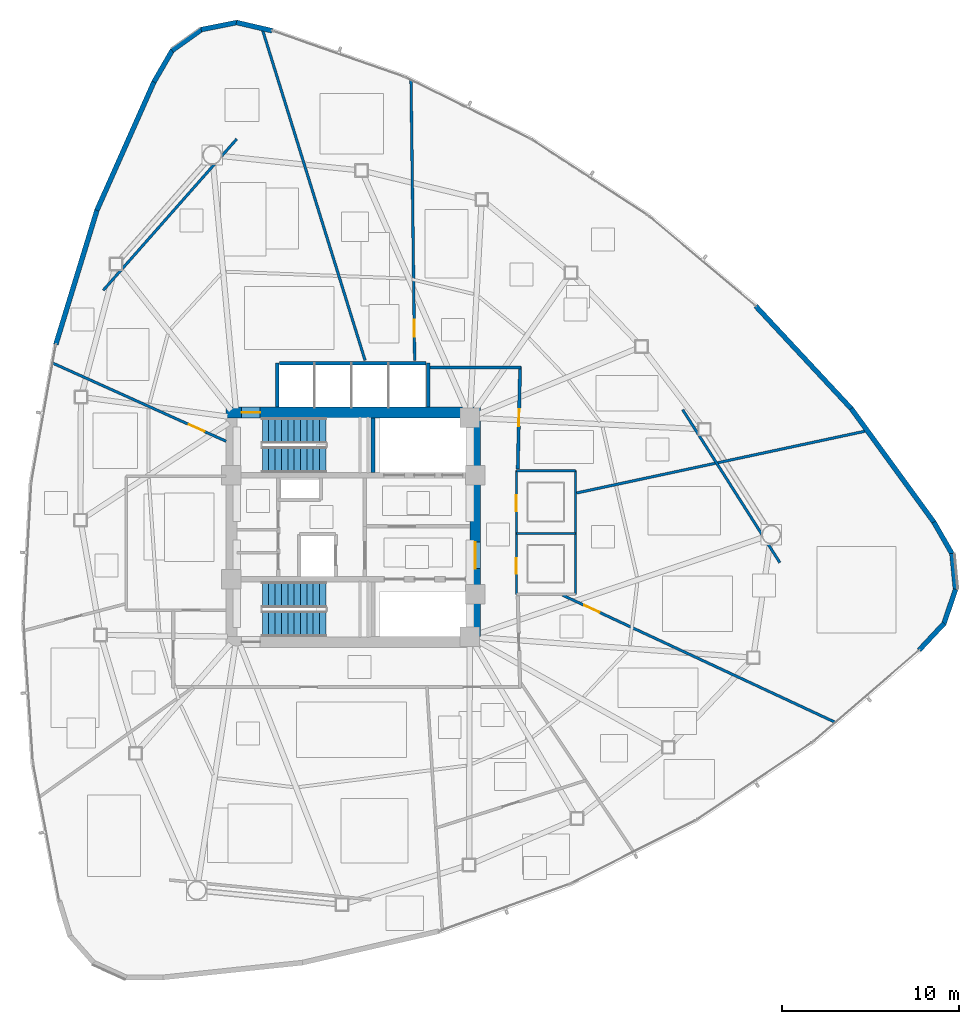
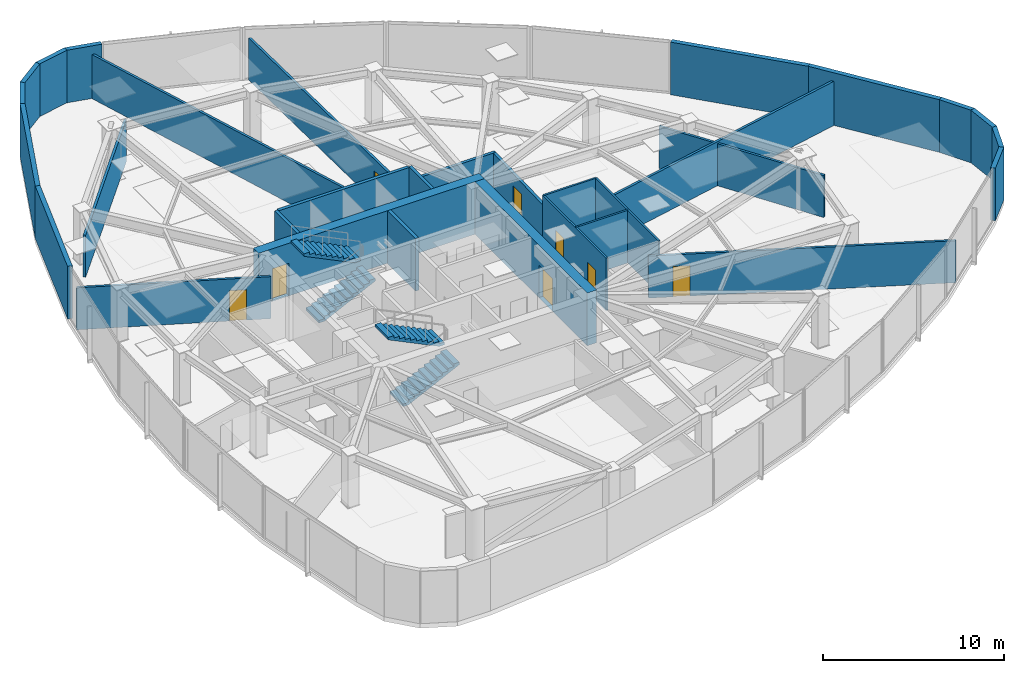
# One storey, part 12 of 17: 31 walls, 8 doors, 4 stair flights, 8 openings, 2 elements without a shape of their own.
"""IFC4 building model written with IfcOpenShell, lengths in metres."""

from ifc_helpers import new_model, si_unit, direction, frame, frame_2d, origin, place, context, subcontext, project, spatial, polyline, rectangle, outline, extrude, material, layer, layer_set, type_object, element, fill, aggregate, save


model = new_model("IFC4")

# Units and contexts
model_context = context("Model", 3, precision=1e-05, world=origin(), true_north=direction((0.0, 1.0)))
body_context = subcontext(model_context, "Body", "Model", "MODEL_VIEW")
ifc_project = project(units=[si_unit("LENGTHUNIT", "METRE"), si_unit("AREAUNIT", "SQUARE_METRE"), si_unit("VOLUMEUNIT", "CUBIC_METRE"), si_unit("PLANEANGLEUNIT", "RADIAN"), si_unit("MASSUNIT", "GRAM", prefix="KILO")], contexts=[model_context])

# Site, building, storey
site_placement = place(None, origin())
site = spatial("IfcSite", under=ifc_project, at=site_placement, CompositionType="ELEMENT")
building_placement = place(site_placement, origin())
building = spatial("IfcBuilding", under=site, at=building_placement, Name="Tavelor Broadcast Tower", CompositionType="ELEMENT")
storey_placement = place(building_placement, frame((0.0, 0.0, 131.0)))
storey = spatial("IfcBuildingStorey", under=building, at=storey_placement, Name="L30", CompositionType="ELEMENT", Elevation=131.0)

# Wall, opening, door
ifc_material_1 = material(Name="Concrete C60/75", Category="concrete")
ifc_layer_1 = layer(ifc_material_1, 0.60009765625)
ifc_layer_set_1 = layer_set([ifc_layer_1], Name="Concrete C60/75")
wall_type_1 = type_object("IfcWallType", Name="Core Shear Wall 600 mm", PredefinedType="SHEAR", material=ifc_layer_set_1)
wall_1_placement = place(storey_placement, frame((42.800048828125, 51.5, 0.0), z_axis=(0.0, 0.0, 1.0), x_axis=(1.0, 0.0, 0.0)))
wall_1 = element("IfcWall", 1, at=wall_1_placement, inside=storey, type_object=wall_type_1, Name="L30 Central Core Shear Wall N", PredefinedType="SHEAR", context=body_context, shape_type="SweptSolid", body=[
    extrude(rectangle(XDim=14.39990234375, YDim=0.60009765625, at=frame_2d((7.199951171875, 0.0))), origin(), (0.0, 0.0, 1.0), 3.550048828125),
])
opening_1_placement = place(wall_1_placement, frame((0.8798828125, 0.0, 0.0)))
opening_1 = element("IfcOpeningElement", 2, at=opening_1_placement, cuts=wall_1, Name="Opening DR11", PredefinedType="OPENING", context=body_context, shape_type="SweptSolid", body=[
    extrude(rectangle(XDim=1.050048828125, YDim=2.199951171875, at=frame_2d((0.52490234375, 1.10009765625))), frame((0.0, 0.31005859375, 0.0), z_axis=(0.0, -1.0, 0.0), x_axis=(1.0, 0.0, 0.0)), (0.0, 0.0, 1.0), 0.6201171875),
])
ifc_material_2 = material(Name="Steel S355", Category="steel")
door_type_1 = type_object("IfcDoorType", Name="Stair Core Fire Escape Door 1050x2200", OperationType="NOTDEFINED", PredefinedType="DOOR", material=ifc_material_2)
door_1_placement = place(opening_1_placement, origin())
door_1 = element("IfcDoor", 3, at=door_1_placement, inside=storey, type_object=door_type_1, Name="L30 Stair ST1 Protected Exit Door", OperationType="SINGLE_SWING_LEFT", OverallHeight=2.199951171875, OverallWidth=1.050048828125, PredefinedType="DOOR", context=body_context, shape_type="SweptSolid", body=[
    extrude(rectangle(XDim=1.050048828125, YDim=2.199951171875, at=frame_2d((0.52490234375, 1.10009765625))), frame((0.0, 0.02490234375, 0.0), z_axis=(0.0, -1.0, 0.0), x_axis=(1.0, 0.0, 0.0)), (0.0, 0.0, 1.0), 0.050048828125),
])
fill(opening_1, door_1)

wall_2_placement = place(storey_placement, frame((56.89990234375, 38.800048828125, 0.0), z_axis=(0.0, 0.0, 1.0), x_axis=(0.0, 1.0, 0.0)))
wall_2 = element("IfcWall", 4, at=wall_2_placement, inside=storey, type_object=wall_type_1, Name="L30 Central Core Shear Wall E", PredefinedType="SHEAR", context=body_context, shape_type="SweptSolid", body=[
    extrude(rectangle(XDim=12.39990234375, YDim=0.60009765625, at=frame_2d((6.199951171875, 0.0))), origin(), (0.0, 0.0, 1.0), 3.550048828125),
])
opening_2_placement = place(wall_2_placement, frame((3.85009765625, 0.0, 0.0)))
opening_2 = element("IfcOpeningElement", 5, at=opening_2_placement, cuts=wall_2, Name="Opening DR14", PredefinedType="OPENING", context=body_context, shape_type="SweptSolid", body=[
    extrude(rectangle(XDim=1.5, YDim=2.199951171875, at=frame_2d((0.75, 1.10009765625))), frame((0.0, 0.31005859375, 0.0), z_axis=(0.0, -1.0, 0.0), x_axis=(1.0, 0.0, 0.0)), (0.0, 0.0, 1.0), 0.6201171875),
])
door_type_2 = type_object("IfcDoorType", Name="Firefighting Lobby Double Fire Door 1500x2200", OperationType="NOTDEFINED", PredefinedType="DOOR", material=ifc_material_2)
door_2_placement = place(opening_2_placement, origin())
door_2 = element("IfcDoor", 6, at=door_2_placement, inside=storey, type_object=door_type_2, Name="L30 Central Core Lobby Fire Door", OperationType="SINGLE_SWING_RIGHT", OverallHeight=2.199951171875, OverallWidth=1.5, PredefinedType="DOOR", context=body_context, shape_type="SweptSolid", body=[
    extrude(rectangle(XDim=1.5, YDim=2.199951171875, at=frame_2d((0.75, 1.10009765625))), frame((0.0, 0.02490234375, 0.0), z_axis=(0.0, -1.0, 0.0), x_axis=(1.0, 0.0, 0.0)), (0.0, 0.0, 1.0), 0.050048828125),
])
fill(opening_2, door_2)

# Wall
ifc_material_3 = material(Name="Calcium Silicate Fire Board 180 mm", Category="gypsum")
ifc_layer_2 = layer(ifc_material_3, 0.179931640625)
ifc_layer_set_2 = layer_set([ifc_layer_2], Name="Calcium Silicate Fire Board 180 mm")
wall_type_2 = type_object("IfcWallType", Name="Fire-Rated Corridor Partition Wall 180 mm", PredefinedType="PARTITIONING", material=ifc_layer_set_2)
wall_3_placement = place(storey_placement, frame((54.300048828125, 54.050048828125, 0.0), z_axis=(0.0, 0.0, 1.0), x_axis=(1.0, 0.0, 0.0)))
element("IfcWall", 7, at=wall_3_placement, inside=storey, type_object=wall_type_2, Name="L30 Corridor Compartment Wall 01", PredefinedType="PARTITIONING", context=body_context, shape_type="SweptSolid", body=[
    extrude(rectangle(XDim=5.199951171875, YDim=0.179931640625, at=frame_2d((2.60009765625, 0.0))), origin(), (0.0, 0.0, 1.0), 2.8349609375),
])

# Wall, opening, door
wall_4_placement = place(storey_placement, frame((59.451171875, 54.10009765625, 0.0), z_axis=(0.0, 0.0, 1.0), x_axis=(-0.023271046154, -0.999729192537, 0.0)))
wall_4 = element("IfcWall", 8, at=wall_4_placement, inside=storey, type_object=wall_type_2, Name="L30 Corridor Compartment Wall 02", PredefinedType="PARTITIONING", context=body_context, shape_type="SweptSolid", body=[
    extrude(rectangle(XDim=5.801513671875, YDim=0.179931640625, at=frame_2d((2.90087890625, 0.0))), origin(), (0.0, 0.0, 1.0), 2.8349609375),
])
opening_3_placement = place(wall_4_placement, frame((2.42578125, 0.0, 0.0)))
opening_3 = element("IfcOpeningElement", 9, at=opening_3_placement, cuts=wall_4, Name="Opening DR18", PredefinedType="OPENING", context=body_context, shape_type="SweptSolid", body=[
    extrude(rectangle(XDim=0.949951171875, YDim=2.050048828125, at=frame_2d((0.47509765625, 1.02490234375))), frame((0.0, 0.10009765625, 0.0), z_axis=(0.0, -1.0, 0.0), x_axis=(1.0, 0.0, 0.0)), (0.0, 0.0, 1.0), 0.199951171875),
])
ifc_material_4 = material(Name="Timber Solid Core Hardwood", Category="wood")
door_type_3 = type_object("IfcDoorType", Name="Corridor Rated Compartment Door 950x2050", OperationType="NOTDEFINED", PredefinedType="DOOR", material=ifc_material_4)
door_3_placement = place(opening_3_placement, origin())
door_3 = element("IfcDoor", 10, at=door_3_placement, inside=storey, type_object=door_type_3, Name="L30 Talent Script Den Door R7", OperationType="SINGLE_SWING_RIGHT", OverallHeight=2.050048828125, OverallWidth=0.949951171875, PredefinedType="DOOR", context=body_context, shape_type="SweptSolid", body=[
    extrude(rectangle(XDim=0.949951171875, YDim=2.050048828125, at=frame_2d((0.47509765625, 1.02490234375))), frame((0.0, 0.02490234375, 0.0), z_axis=(0.0, -1.0, 0.0), x_axis=(1.0, 0.0, 0.0)), (0.0, 0.0, 1.0), 0.050048828125),
])
fill(opening_3, door_3)

# Walls
ifc_material_5 = material(Name="Precast Concrete C40/50", Category="concrete")
ifc_layer_3 = layer(ifc_material_5, 0.280029296875)
ifc_layer_set_3 = layer_set([ifc_layer_3], Name="Precast Concrete C40/50")
wall_type_3 = type_object("IfcWallType", Name="Insulated Precast Terracotta Facade Wall 280 mm", PredefinedType="STANDARD", material=ifc_layer_set_3)
wall_5_placement = place(storey_placement, frame((45.402587890625, 73.12158203125, 0.0), z_axis=(0.0, 0.0, 1.0), x_axis=(-0.974178587375, 0.22577882961, 0.0)))
element("IfcWall", 11, at=wall_5_placement, inside=storey, type_object=wall_type_3, Name="L30 Rounded Corner Structural Cladding Pier 01", PredefinedType="STANDARD", context=body_context, shape_type="SweptSolid", body=[
    extrude(rectangle(XDim=2.074951171875, YDim=0.280029296875, at=frame_2d((1.03759765625, 0.0))), origin(), (0.0, 0.0, 1.0), 3.550048828125),
])
wall_6_placement = place(storey_placement, frame((43.410400390625, 73.589599609375, 0.0), z_axis=(0.0, 0.0, 1.0), x_axis=(-0.980784907461, -0.195092196912, 0.0)))
element("IfcWall", 12, at=wall_6_placement, inside=storey, type_object=wall_type_3, Name="L30 Rounded Corner Structural Cladding Pier 02", PredefinedType="STANDARD", context=body_context, shape_type="SweptSolid", body=[
    extrude(rectangle(XDim=2.0634765625, YDim=0.280029296875, at=frame_2d((1.03173828125, 0.0))), origin(), (0.0, 0.0, 1.0), 3.550048828125),
])
wall_7_placement = place(storey_placement, frame((41.413330078125, 73.19873046875, 0.0), z_axis=(0.0, 0.0, 1.0), x_axis=(-0.813573570753, -0.581461989276, 0.0)))
element("IfcWall", 13, at=wall_7_placement, inside=storey, type_object=wall_type_3, Name="L30 Rounded Corner Structural Cladding Pier 03", PredefinedType="STANDARD", context=body_context, shape_type="SweptSolid", body=[
    extrude(rectangle(XDim=2.063720703125, YDim=0.280029296875, at=frame_2d((1.03173828125, 0.0))), origin(), (0.0, 0.0, 1.0), 3.550048828125),
])
wall_8_placement = place(storey_placement, frame((39.754150390625, 72.0205078125, 0.0), z_axis=(0.0, 0.0, 1.0), x_axis=(-0.502276670767, -0.864706971178, 0.0)))
element("IfcWall", 14, at=wall_8_placement, inside=storey, type_object=wall_type_3, Name="L30 Rounded Corner Structural Cladding Pier 04", PredefinedType="STANDARD", context=body_context, shape_type="SweptSolid", body=[
    extrude(rectangle(XDim=2.086181640625, YDim=0.280029296875, at=frame_2d((1.04296875, 0.0))), origin(), (0.0, 0.0, 1.0), 3.550048828125),
])
wall_9_placement = place(storey_placement, frame((38.7197265625, 70.2431640625, 0.0), z_axis=(0.0, 0.0, 1.0), x_axis=(-0.406356916925, -0.913714428072, 0.0)))
element("IfcWall", 15, at=wall_9_placement, inside=storey, type_object=wall_type_3, Name="L30 Rounded Corner Structural Cladding Pier 05", PredefinedType="STANDARD", context=body_context, shape_type="SweptSolid", body=[
    extrude(rectangle(XDim=7.984130859375, YDim=0.280029296875, at=frame_2d((3.9921875, 0.0))), origin(), (0.0, 0.0, 1.0), 3.550048828125),
])
wall_10_placement = place(storey_placement, frame((35.48583984375, 62.97607421875, 0.0), z_axis=(0.0, 0.0, 1.0), x_axis=(-0.292805131006, -0.956172136833, 0.0)))
element("IfcWall", 16, at=wall_10_placement, inside=storey, type_object=wall_type_3, Name="L30 Rounded Corner Structural Cladding Pier 06", PredefinedType="STANDARD", context=body_context, shape_type="SweptSolid", body=[
    extrude(rectangle(XDim=7.971923828125, YDim=0.280029296875, at=frame_2d((3.98583984375, 0.0))), origin(), (0.0, 0.0, 1.0), 3.550048828125),
])
wall_11_placement = place(storey_placement, frame((82.052490234375, 38.038330078125, 0.0), z_axis=(0.0, 0.0, 1.0), x_axis=(0.682699598711, 0.730699156918, 0.0)))
element("IfcWall", 17, at=wall_11_placement, inside=storey, type_object=wall_type_3, Name="L30 Rounded Corner Structural Cladding Pier 21", PredefinedType="STANDARD", context=body_context, shape_type="SweptSolid", body=[
    extrude(rectangle(XDim=2.0751953125, YDim=0.280029296875, at=frame_2d((1.03759765625, 0.0))), origin(), (0.0, 0.0, 1.0), 3.550048828125),
])
wall_12_placement = place(storey_placement, frame((83.4541015625, 39.529541015625, 0.0), z_axis=(0.0, 0.0, 1.0), x_axis=(0.321510387115, 0.946906051822, 0.0)))
element("IfcWall", 18, at=wall_12_placement, inside=storey, type_object=wall_type_3, Name="L30 Rounded Corner Structural Cladding Pier 22", PredefinedType="STANDARD", context=body_context, shape_type="SweptSolid", body=[
    extrude(rectangle(XDim=2.06396484375, YDim=0.280029296875, at=frame_2d((1.031982421875, 0.0))), origin(), (0.0, 0.0, 1.0), 3.550048828125),
])
wall_13_placement = place(storey_placement, frame((84.1142578125, 41.45458984375, 0.0), z_axis=(0.0, 0.0, 1.0), x_axis=(-0.096774112807, 0.995306370466, 0.0)))
element("IfcWall", 19, at=wall_13_placement, inside=storey, type_object=wall_type_3, Name="L30 Rounded Corner Structural Cladding Pier 23", PredefinedType="STANDARD", context=body_context, shape_type="SweptSolid", body=[
    extrude(rectangle(XDim=2.063720703125, YDim=0.280029296875, at=frame_2d((1.03173828125, 0.0))), origin(), (0.0, 0.0, 1.0), 3.550048828125),
])
wall_14_placement = place(storey_placement, frame((83.923583984375, 43.480712890625, 0.0), z_axis=(0.0, 0.0, 1.0), x_axis=(-0.497688219337, 0.867356003227, 0.0)))
element("IfcWall", 20, at=wall_14_placement, inside=storey, type_object=wall_type_3, Name="L30 Rounded Corner Structural Cladding Pier 24", PredefinedType="STANDARD", context=body_context, shape_type="SweptSolid", body=[
    extrude(rectangle(XDim=2.08642578125, YDim=0.280029296875, at=frame_2d((1.043212890625, 0.0))), origin(), (0.0, 0.0, 1.0), 3.550048828125),
])
wall_15_placement = place(storey_placement, frame((82.901611328125, 45.264892578125, 0.0), z_axis=(0.0, 0.0, 1.0), x_axis=(-0.588124425766, 0.808770461761, 0.0)))
element("IfcWall", 21, at=wall_15_placement, inside=storey, type_object=wall_type_3, Name="L30 Rounded Corner Structural Cladding Pier 25", PredefinedType="STANDARD", context=body_context, shape_type="SweptSolid", body=[
    extrude(rectangle(XDim=7.984375, YDim=0.280029296875, at=frame_2d((3.9921875, 0.0))), origin(), (0.0, 0.0, 1.0), 3.550048828125),
])
wall_16_placement = place(storey_placement, frame((78.224853515625, 51.69921875, 0.0), z_axis=(0.0, 0.0, 1.0), x_axis=(-0.681675304352, 0.731654822601, 0.0)))
element("IfcWall", 22, at=wall_16_placement, inside=storey, type_object=wall_type_3, Name="L30 Rounded Corner Structural Cladding Pier 26", PredefinedType="STANDARD", context=body_context, shape_type="SweptSolid", body=[
    extrude(rectangle(XDim=7.971923828125, YDim=0.280029296875, at=frame_2d((3.98583984375, 0.0))), origin(), (0.0, 0.0, 1.0), 3.550048828125),
])
ifc_material_6 = material(Name="Gypsum Acoustic Plasterboard 150 mm", Category="gypsum")
ifc_layer_4 = layer(ifc_material_6, 0.14990234375)
ifc_layer_set_4 = layer_set([ifc_layer_4], Name="Gypsum Acoustic Plasterboard 150 mm")
wall_type_4 = type_object("IfcWallType", Name="Interior Acoustic Partition Wall 150 mm", PredefinedType="PARTITIONING", material=ifc_layer_set_4)
wall_17_placement = place(storey_placement, frame((43.399658203125, 66.988525390625, 0.0), z_axis=(0.0, 0.0, 1.0), x_axis=(-0.661622343701, -0.749837231881, 0.0)))
element("IfcWall", 23, at=wall_17_placement, inside=storey, type_object=wall_type_4, Name="L30 Corner Tube Brace Furring Wall 1", PredefinedType="PARTITIONING", context=body_context, shape_type="SweptSolid", body=[
    extrude(rectangle(XDim=11.42724609375, YDim=0.14990234375, at=frame_2d((5.713623046875, 0.0))), origin(), (0.0, 0.0, 1.0), 2.8349609375),
])
wall_18_placement = place(storey_placement, frame((74.16259765625, 42.9931640625, 0.0), z_axis=(0.0, 0.0, 1.0), x_axis=(-0.53628142437, 0.844039237166, 0.0)))
element("IfcWall", 24, at=wall_18_placement, inside=storey, type_object=wall_type_4, Name="L30 Corner Tube Brace Furring Wall 3", PredefinedType="PARTITIONING", context=body_context, shape_type="SweptSolid", body=[
    extrude(rectangle(XDim=10.266845703125, YDim=0.14990234375, at=frame_2d((5.13330078125, 0.0))), origin(), (0.0, 0.0, 1.0), 2.8349609375),
])

# Wall, opening, door
wall_19_placement = place(storey_placement, frame((61.8564453125, 41.14990234375, 0.0), z_axis=(0.0, 0.0, 1.0), x_axis=(0.906310342389, -0.422612781727, 0.0)))
wall_19 = element("IfcWall", 25, at=wall_19_placement, inside=storey, type_object=wall_type_4, Name="L30 Radial Compartment Wall 01", PredefinedType="PARTITIONING", context=body_context, shape_type="SweptSolid", body=[
    extrude(rectangle(XDim=17.05810546875, YDim=0.14990234375, at=frame_2d((8.529052734375, 0.0))), origin(), (0.0, 0.0, 1.0), 2.8349609375),
])
opening_4_placement = place(wall_19_placement, frame((1.35009765625, 0.0, 0.0)))
opening_4 = element("IfcOpeningElement", 26, at=opening_4_placement, cuts=wall_19, Name="Opening DR18", PredefinedType="OPENING", context=body_context, shape_type="SweptSolid", body=[
    extrude(rectangle(XDim=0.949951171875, YDim=2.050048828125, at=frame_2d((0.47509765625, 1.02490234375))), frame((0.0, 0.0849609375, 0.0), z_axis=(0.0, -1.0, 0.0), x_axis=(1.0, 0.0, 0.0)), (0.0, 0.0, 1.0), 0.169921875),
])
door_4_placement = place(opening_4_placement, origin())
door_4 = element("IfcDoor", 27, at=door_4_placement, inside=storey, type_object=door_type_3, Name="L30 Suite Connecting Door 8", OperationType="SINGLE_SWING_LEFT", OverallHeight=2.050048828125, OverallWidth=0.949951171875, PredefinedType="DOOR", context=body_context, shape_type="SweptSolid", body=[
    extrude(rectangle(XDim=0.949951171875, YDim=2.050048828125, at=frame_2d((0.47509765625, 1.02490234375))), frame((0.0, 0.02490234375, 0.0), z_axis=(0.0, -1.0, 0.0), x_axis=(1.0, 0.0, 0.0)), (0.0, 0.0, 1.0), 0.050048828125),
])
fill(opening_4, door_4)

# Wall
wall_20_placement = place(storey_placement, frame((62.64990234375, 46.9384765625, 0.0), z_axis=(0.0, 0.0, 1.0), x_axis=(0.977819369841, 0.209449946202, 0.0)))
element("IfcWall", 28, at=wall_20_placement, inside=storey, type_object=wall_type_4, Name="L30 Radial Compartment Wall 02", PredefinedType="PARTITIONING", context=body_context, shape_type="SweptSolid", body=[
    extrude(rectangle(XDim=16.853759765625, YDim=0.14990234375, at=frame_2d((8.4267578125, 0.0))), origin(), (0.0, 0.0, 1.0), 2.97509765625),
])

# Wall, opening, door
wall_21_placement = place(storey_placement, frame((53.477294921875, 54.449951171875, 0.0), z_axis=(0.0, 0.0, 1.0), x_axis=(-0.01298432171, 0.999915700142, 0.0)))
wall_21 = element("IfcWall", 29, at=wall_21_placement, inside=storey, type_object=wall_type_4, Name="L30 Radial Compartment Wall 03", PredefinedType="PARTITIONING", context=body_context, shape_type="SweptSolid", body=[
    extrude(rectangle(XDim=15.88818359375, YDim=0.14990234375, at=frame_2d((7.944091796875, 0.0))), origin(), (0.0, 0.0, 1.0), 2.8349609375),
])
opening_5_placement = place(wall_21_placement, frame((1.35009765625, 0.0, 0.0)))
opening_5 = element("IfcOpeningElement", 30, at=opening_5_placement, cuts=wall_21, Name="Opening DR18", PredefinedType="OPENING", context=body_context, shape_type="SweptSolid", body=[
    extrude(rectangle(XDim=0.949951171875, YDim=2.050048828125, at=frame_2d((0.47509765625, 1.02490234375))), frame((0.0, 0.0849609375, 0.0), z_axis=(0.0, -1.0, 0.0), x_axis=(1.0, 0.0, 0.0)), (0.0, 0.0, 1.0), 0.169921875),
])
door_5_placement = place(opening_5_placement, origin())
door_5 = element("IfcDoor", 31, at=door_5_placement, inside=storey, type_object=door_type_3, Name="L30 Suite Connecting Door 6", OperationType="SINGLE_SWING_RIGHT", OverallHeight=2.050048828125, OverallWidth=0.949951171875, PredefinedType="DOOR", context=body_context, shape_type="SweptSolid", body=[
    extrude(rectangle(XDim=0.949951171875, YDim=2.050048828125, at=frame_2d((0.47509765625, 1.02490234375))), frame((0.0, 0.02490234375, 0.0), z_axis=(0.0, -1.0, 0.0), x_axis=(1.0, 0.0, 0.0)), (0.0, 0.0, 1.0), 0.050048828125),
])
fill(opening_5, door_5)

# Wall
wall_22_placement = place(storey_placement, frame((50.668212890625, 54.449951171875, 0.0), z_axis=(0.0, 0.0, 1.0), x_axis=(-0.296304097898, 0.95509365068, 0.0)))
element("IfcWall", 32, at=wall_22_placement, inside=storey, type_object=wall_type_4, Name="L30 Radial Compartment Wall 04", PredefinedType="PARTITIONING", context=body_context, shape_type="SweptSolid", body=[
    extrude(rectangle(XDim=19.698974609375, YDim=0.14990234375, at=frame_2d((9.849609375, 0.0))), origin(), (0.0, 0.0, 1.0), 2.97509765625),
])

# Wall, opening, door
wall_23_placement = place(storey_placement, frame((42.800048828125, 49.867431640625, 0.0), z_axis=(0.0, 0.0, 1.0), x_axis=(-0.911687410951, 0.410884490718, 0.0)))
wall_23 = element("IfcWall", 33, at=wall_23_placement, inside=storey, type_object=wall_type_4, Name="L30 Radial Compartment Wall 05", PredefinedType="PARTITIONING", context=body_context, shape_type="SweptSolid", body=[
    extrude(rectangle(XDim=10.798095703125, YDim=0.14990234375, at=frame_2d((5.39892578125, 0.0))), origin(), (0.0, 0.0, 1.0), 2.8349609375),
])
opening_6_placement = place(wall_23_placement, frame((1.35009765625, 0.0, 0.0)))
opening_6 = element("IfcOpeningElement", 34, at=opening_6_placement, cuts=wall_23, Name="Opening DR18", PredefinedType="OPENING", context=body_context, shape_type="SweptSolid", body=[
    extrude(rectangle(XDim=0.949951171875, YDim=2.050048828125, at=frame_2d((0.47509765625, 1.02490234375))), frame((0.0, 0.0849609375, 0.0), z_axis=(0.0, -1.0, 0.0), x_axis=(1.0, 0.0, 0.0)), (0.0, 0.0, 1.0), 0.169921875),
])
door_6_placement = place(opening_6_placement, origin())
door_6 = element("IfcDoor", 35, at=door_6_placement, inside=storey, type_object=door_type_3, Name="L30 Suite Connecting Door 5", OperationType="SINGLE_SWING_LEFT", OverallHeight=2.050048828125, OverallWidth=0.949951171875, PredefinedType="DOOR", context=body_context, shape_type="SweptSolid", body=[
    extrude(rectangle(XDim=0.949951171875, YDim=2.050048828125, at=frame_2d((0.47509765625, 1.02490234375))), frame((0.0, 0.02490234375, 0.0), z_axis=(0.0, -1.0, 0.0), x_axis=(1.0, 0.0, 0.0)), (0.0, 0.0, 1.0), 0.050048828125),
])
fill(opening_6, door_6)

# Walls
ifc_material_7 = material(Name="Concrete Blockwork 200 mm", Category="masonry")
ifc_layer_5 = layer(ifc_material_7, 0.199951171875)
ifc_layer_set_5 = layer_set([ifc_layer_5], Name="Concrete Blockwork 200 mm")
wall_type_5 = type_object("IfcWallType", Name="Lift Hoistway Rated Front Wall 200 mm", PredefinedType="PARTITIONING", material=ifc_layer_set_5)
wall_24_placement = place(storey_placement, frame((45.820068359375, 54.300048828125, 0.0), z_axis=(0.0, 0.0, 1.0), x_axis=(1.0, 0.0, 0.0)))
element("IfcWall", 36, at=wall_24_placement, inside=storey, type_object=wall_type_5, Name="L30 High-Rise Lift Hoistway Front Wall", PredefinedType="PARTITIONING", context=body_context, shape_type="SweptSolid", body=[
    extrude(rectangle(XDim=8.309814453125, YDim=0.199951171875, at=frame_2d((4.15478515625, 0.0))), origin(), (0.0, 0.0, 1.0), 3.550048828125),
])
ifc_layer_6 = layer(ifc_material_7, 0.199951171875)
ifc_layer_set_6 = layer_set([ifc_layer_6], Name="Concrete Blockwork 200 mm")
wall_type_6 = type_object("IfcWallType", Name="Lift and Riser Shaft Enclosure Wall 200 mm", PredefinedType="PARTITIONING", material=ifc_layer_set_6)
for number, where, z_axis, x_axis, name in (
    (37, (45.699951171875, 51.800048828125, 0.0), (0.0, 0.0, 1.0), (0.0, 1.0, 0.0), "L30 High-Rise Lift Shaft West Wall"),
    (38, (54.25, 51.800048828125, 0.0), (0.0, 0.0, 1.0), (0.0, 1.0, 0.0), "L30 High-Rise Lift Shaft East Wall"),
):
    element("IfcWall", number, at=place(storey_placement, frame(where, z_axis=z_axis, x_axis=x_axis)), inside=storey, type_object=wall_type_6, Name=name, PredefinedType="PARTITIONING", context=body_context, shape_type="SweptSolid", body=[
        extrude(rectangle(XDim=2.5, YDim=0.199951171875, at=frame_2d((1.25, 0.0))), origin(), (0.0, 0.0, 1.0), 3.550048828125),
    ])

# Wall, openings, doors
ifc_material_8 = material(Name="Moisture-Resistant Plasterboard 120 mm", Category="gypsum")
ifc_layer_7 = layer(ifc_material_8, 0.1201171875)
ifc_layer_set_7 = layer_set([ifc_layer_7], Name="Moisture-Resistant Plasterboard 120 mm")
wall_type_7 = type_object("IfcWallType", Name="Moisture-Resistant Wet-Room Partition 120 mm", PredefinedType="PARTITIONING", material=ifc_layer_set_7)
wall_25_placement = place(storey_placement, frame((59.239990234375, 41.199951171875, 0.0), z_axis=(0.0, 0.0, 1.0), x_axis=(0.0, 1.0, 0.0)))
wall_25 = element("IfcWall", 39, at=wall_25_placement, inside=storey, type_object=wall_type_7, Name="L30 Floor Washrooms West Wall", PredefinedType="PARTITIONING", context=body_context, shape_type="SweptSolid", body=[
    extrude(rectangle(XDim=7.0, YDim=0.1201171875, at=frame_2d((3.5, 0.0))), origin(), (0.0, 0.0, 1.0), 3.550048828125),
])
opening_7_placement = place(wall_25_placement, frame((1.14990234375, 0.0, 0.0)))
opening_7 = element("IfcOpeningElement", 40, at=opening_7_placement, cuts=wall_25, Name="Opening DR32", PredefinedType="OPENING", context=body_context, shape_type="SweptSolid", body=[
    extrude(rectangle(XDim=0.89990234375, YDim=2.050048828125, at=frame_2d((0.449951171875, 1.02490234375))), frame((0.0, 0.070068359375, 0.0), z_axis=(0.0, -1.0, 0.0), x_axis=(1.0, 0.0, 0.0)), (0.0, 0.0, 1.0), 0.14013671875),
])
opening_8_placement = place(wall_25_placement, frame((4.699951171875, 0.0, 0.0)))
opening_8 = element("IfcOpeningElement", 41, at=opening_8_placement, cuts=wall_25, Name="Opening DR32", PredefinedType="OPENING", context=body_context, shape_type="SweptSolid", body=[
    extrude(rectangle(XDim=0.89990234375, YDim=2.050048828125, at=frame_2d((0.449951171875, 1.02490234375))), frame((0.0, 0.070068359375, 0.0), z_axis=(0.0, -1.0, 0.0), x_axis=(1.0, 0.0, 0.0)), (0.0, 0.0, 1.0), 0.14013671875),
])
door_type_4 = type_object("IfcDoorType", Name="Accessible Washroom Door 900x2050", OperationType="NOTDEFINED", PredefinedType="DOOR", material=ifc_material_4)
door_7_placement = place(opening_7_placement, origin())
door_7 = element("IfcDoor", 42, at=door_7_placement, inside=storey, type_object=door_type_4, Name="L30 Accessible WC Door", OperationType="SINGLE_SWING_LEFT", OverallHeight=2.050048828125, OverallWidth=0.89990234375, PredefinedType="DOOR", context=body_context, shape_type="SweptSolid", body=[
    extrude(rectangle(XDim=0.89990234375, YDim=2.050048828125, at=frame_2d((0.449951171875, 1.02490234375))), frame((0.0, 0.02490234375, 0.0), z_axis=(0.0, -1.0, 0.0), x_axis=(1.0, 0.0, 0.0)), (0.0, 0.0, 1.0), 0.050048828125),
])
fill(opening_7, door_7)
door_8_placement = place(opening_8_placement, origin())
door_8 = element("IfcDoor", 43, at=door_8_placement, inside=storey, type_object=door_type_4, Name="L30 Staff Washroom WC Door", OperationType="SINGLE_SWING_RIGHT", OverallHeight=2.050048828125, OverallWidth=0.89990234375, PredefinedType="DOOR", context=body_context, shape_type="SweptSolid", body=[
    extrude(rectangle(XDim=0.89990234375, YDim=2.050048828125, at=frame_2d((0.449951171875, 1.02490234375))), frame((0.0, 0.02490234375, 0.0), z_axis=(0.0, -1.0, 0.0), x_axis=(1.0, 0.0, 0.0)), (0.0, 0.0, 1.0), 0.050048828125),
])
fill(opening_8, door_8)

# Walls
for number, where, z_axis, x_axis, name in (
    (44, (59.239990234375, 44.64990234375, 0.0), (0.0, 0.0, 1.0), (1.0, 0.0, 0.0), "L30 Floor Washrooms Divider Wall"),
    (45, (59.239990234375, 48.199951171875, 0.0), (0.0, 0.0, 1.0), (1.0, 0.0, 0.0), "L30 Floor Washrooms North Wall"),
):
    element("IfcWall", number, at=place(storey_placement, frame(where, z_axis=z_axis, x_axis=x_axis)), inside=storey, type_object=wall_type_7, Name=name, PredefinedType="PARTITIONING", context=body_context, shape_type="SweptSolid", body=[
        extrude(rectangle(XDim=3.340087890625, YDim=0.1201171875, at=frame_2d((1.669921875, 0.0))), origin(), (0.0, 0.0, 1.0), 3.550048828125),
    ])
wall_26_placement = place(storey_placement, frame((62.580078125, 41.199951171875, 0.0), z_axis=(0.0, 0.0, 1.0), x_axis=(0.0, 1.0, 0.0)))
element("IfcWall", 46, at=wall_26_placement, inside=storey, type_object=wall_type_7, Name="L30 Floor Washrooms East Wall", PredefinedType="PARTITIONING", context=body_context, shape_type="SweptSolid", body=[
    extrude(rectangle(XDim=7.0, YDim=0.1201171875, at=frame_2d((3.5, 0.0))), origin(), (0.0, 0.0, 1.0), 3.550048828125),
])
ifc_material_9 = material(Name="Concrete C40/50", Category="concrete")
ifc_layer_8 = layer(ifc_material_9, 0.219970703125)
ifc_layer_set_8 = layer_set([ifc_layer_8], Name="Concrete C40/50")
wall_type_8 = type_object("IfcWallType", Name="Structural Stairwell Shear Wall 220 mm", PredefinedType="SHEAR", material=ifc_layer_set_8)
wall_27_placement = place(storey_placement, frame((51.110107421875, 48.10009765625, 0.0), z_axis=(0.0, 0.0, 1.0), x_axis=(0.0, 1.0, 0.0)))
element("IfcWall", 47, at=wall_27_placement, inside=storey, type_object=wall_type_8, Name="L30 Stair ST1 Structural Shaft Wall", PredefinedType="SHEAR", context=body_context, shape_type="SweptSolid", body=[
    extrude(rectangle(XDim=3.099853515625, YDim=0.219970703125, at=frame_2d((1.5498046875, 0.0))), origin(), (0.0, 0.0, 1.0), 3.550048828125),
])

# Stair, stair flights
stair_type = type_object("IfcStairType", Name="Reinforced Concrete Protected Dogleg Stair 1450 mm", PredefinedType="HALF_TURN_STAIR", material=ifc_material_9)
stair_1_placement = place(storey_placement, origin())
stair_1 = element("IfcStair", 48, at=stair_1_placement, inside=storey, type_object=stair_type, Name="L30 Protected Core Exit Stair ST1", PredefinedType="HALF_TURN_STAIR")
stair_flight_type = type_object("IfcStairFlightType", Name="Reinforced Concrete Stair Flight 1450 mm", PredefinedType="STRAIGHT", material=ifc_material_9)
stair_flight_1_placement = place(storey_placement, frame((44.85009765625, 48.824951171875, 0.0), z_axis=(0.0, 0.0, 1.0), x_axis=(1.0, 0.0, 0.0)))
stair_flight_1 = element("IfcStairFlight", 49, at=stair_flight_1_placement, type_object=stair_flight_type, Name="ST1 flight 1", NumberOfRisers=11, NumberOfTreads=10, PredefinedType="STRAIGHT", RiserHeight=0.175, TreadLength=0.36, context=body_context, shape_type="SweptSolid", body=[
    extrude(outline(polyline([(0.0, 0.0), (0.0, 0.175048828125), (0.360107421875, 0.175048828125), (0.360107421875, 0.35009765625), (0.719970703125, 0.35009765625), (0.719970703125, 0.52490234375), (1.080078125, 0.52490234375), (1.080078125, 0.699951171875), (1.43994140625, 0.699951171875), (1.43994140625, 0.875), (1.800048828125, 0.875), (1.800048828125, 1.050048828125), (2.159912109375, 1.050048828125), (2.159912109375, 1.22509765625), (2.52001953125, 1.22509765625), (2.52001953125, 1.39990234375), (2.8798828125, 1.39990234375), (2.8798828125, 1.574951171875), (3.239990234375, 1.574951171875), (3.239990234375, 1.75), (3.60009765625, 1.75), (3.60009765625, 1.925048828125), (3.60009765625, 1.583251953125), (0.3427734375, 0.0), (0.0, 0.0)])), frame((0.0, 0.72509765625, 0.0), z_axis=(0.0, -1.0, 0.0), x_axis=(1.0, 0.0, 0.0)), (0.0, 0.0, 1.0), 1.449951171875),
])
stair_flight_2_placement = place(storey_placement, frame((48.449951171875, 50.47509765625, 1.925048828125), z_axis=(0.0, 0.0, 1.0), x_axis=(-1.0, 0.0, 0.0)))
stair_flight_2 = element("IfcStairFlight", 50, at=stair_flight_2_placement, type_object=stair_flight_type, Name="ST1 flight 2", NumberOfRisers=11, NumberOfTreads=10, PredefinedType="STRAIGHT", RiserHeight=0.175, TreadLength=0.36, context=body_context, shape_type="SweptSolid", body=[
    extrude(outline(polyline([(0.0, 0.0), (0.0, 0.175048828125), (0.360107421875, 0.175048828125), (0.360107421875, 0.35009765625), (0.719970703125, 0.35009765625), (0.719970703125, 0.52490234375), (1.080078125, 0.52490234375), (1.080078125, 0.699951171875), (1.43994140625, 0.699951171875), (1.43994140625, 0.875), (1.800048828125, 0.875), (1.800048828125, 1.050048828125), (2.159912109375, 1.050048828125), (2.159912109375, 1.22509765625), (2.52001953125, 1.22509765625), (2.52001953125, 1.39990234375), (2.8798828125, 1.39990234375), (2.8798828125, 1.574951171875), (3.239990234375, 1.574951171875), (3.239990234375, 1.75), (3.60009765625, 1.75), (3.60009765625, 1.925048828125), (3.60009765625, 1.583251953125), (0.3427734375, 0.0), (0.0, 0.0)])), frame((0.0, 0.72509765625, 0.0), z_axis=(0.0, -1.0, 0.0), x_axis=(1.0, 0.0, 0.0)), (0.0, 0.0, 1.0), 1.449951171875),
])
aggregate(stair_1, [stair_flight_1, stair_flight_2])

stair_2_placement = place(storey_placement, origin())
stair_2 = element("IfcStair", 51, at=stair_2_placement, inside=storey, type_object=stair_type, Name="L30 Protected Core Exit Stair ST2", PredefinedType="HALF_TURN_STAIR")
stair_flight_3_placement = place(storey_placement, frame((44.85009765625, 39.52490234375, 0.0), z_axis=(0.0, 0.0, 1.0), x_axis=(1.0, 0.0, 0.0)))
stair_flight_3 = element("IfcStairFlight", 52, at=stair_flight_3_placement, type_object=stair_flight_type, Name="ST2 flight 1", NumberOfRisers=11, NumberOfTreads=10, PredefinedType="STRAIGHT", RiserHeight=0.175, TreadLength=0.36, context=body_context, shape_type="SweptSolid", body=[
    extrude(outline(polyline([(0.0, 0.0), (0.0, 0.175048828125), (0.360107421875, 0.175048828125), (0.360107421875, 0.35009765625), (0.719970703125, 0.35009765625), (0.719970703125, 0.52490234375), (1.080078125, 0.52490234375), (1.080078125, 0.699951171875), (1.43994140625, 0.699951171875), (1.43994140625, 0.875), (1.800048828125, 0.875), (1.800048828125, 1.050048828125), (2.159912109375, 1.050048828125), (2.159912109375, 1.22509765625), (2.52001953125, 1.22509765625), (2.52001953125, 1.39990234375), (2.8798828125, 1.39990234375), (2.8798828125, 1.574951171875), (3.239990234375, 1.574951171875), (3.239990234375, 1.75), (3.60009765625, 1.75), (3.60009765625, 1.925048828125), (3.60009765625, 1.583251953125), (0.3427734375, 0.0), (0.0, 0.0)])), frame((0.0, 0.72509765625, 0.0), z_axis=(0.0, -1.0, 0.0), x_axis=(1.0, 0.0, 0.0)), (0.0, 0.0, 1.0), 1.449951171875),
])
stair_flight_4_placement = place(storey_placement, frame((48.449951171875, 41.175048828125, 1.925048828125), z_axis=(0.0, 0.0, 1.0), x_axis=(-1.0, 0.0, 0.0)))
stair_flight_4 = element("IfcStairFlight", 53, at=stair_flight_4_placement, type_object=stair_flight_type, Name="ST2 flight 2", NumberOfRisers=11, NumberOfTreads=10, PredefinedType="STRAIGHT", RiserHeight=0.175, TreadLength=0.36, context=body_context, shape_type="SweptSolid", body=[
    extrude(outline(polyline([(0.0, 0.0), (0.0, 0.175048828125), (0.360107421875, 0.175048828125), (0.360107421875, 0.35009765625), (0.719970703125, 0.35009765625), (0.719970703125, 0.52490234375), (1.080078125, 0.52490234375), (1.080078125, 0.699951171875), (1.43994140625, 0.699951171875), (1.43994140625, 0.875), (1.800048828125, 0.875), (1.800048828125, 1.050048828125), (2.159912109375, 1.050048828125), (2.159912109375, 1.22509765625), (2.52001953125, 1.22509765625), (2.52001953125, 1.39990234375), (2.8798828125, 1.39990234375), (2.8798828125, 1.574951171875), (3.239990234375, 1.574951171875), (3.239990234375, 1.75), (3.60009765625, 1.75), (3.60009765625, 1.925048828125), (3.60009765625, 1.583251953125), (0.3427734375, 0.0), (0.0, 0.0)])), frame((0.0, 0.72509765625, 0.0), z_axis=(0.0, -1.0, 0.0), x_axis=(1.0, 0.0, 0.0)), (0.0, 0.0, 1.0), 1.449951171875),
])
aggregate(stair_2, [stair_flight_3, stair_flight_4])

save(model, "model.ifc")
